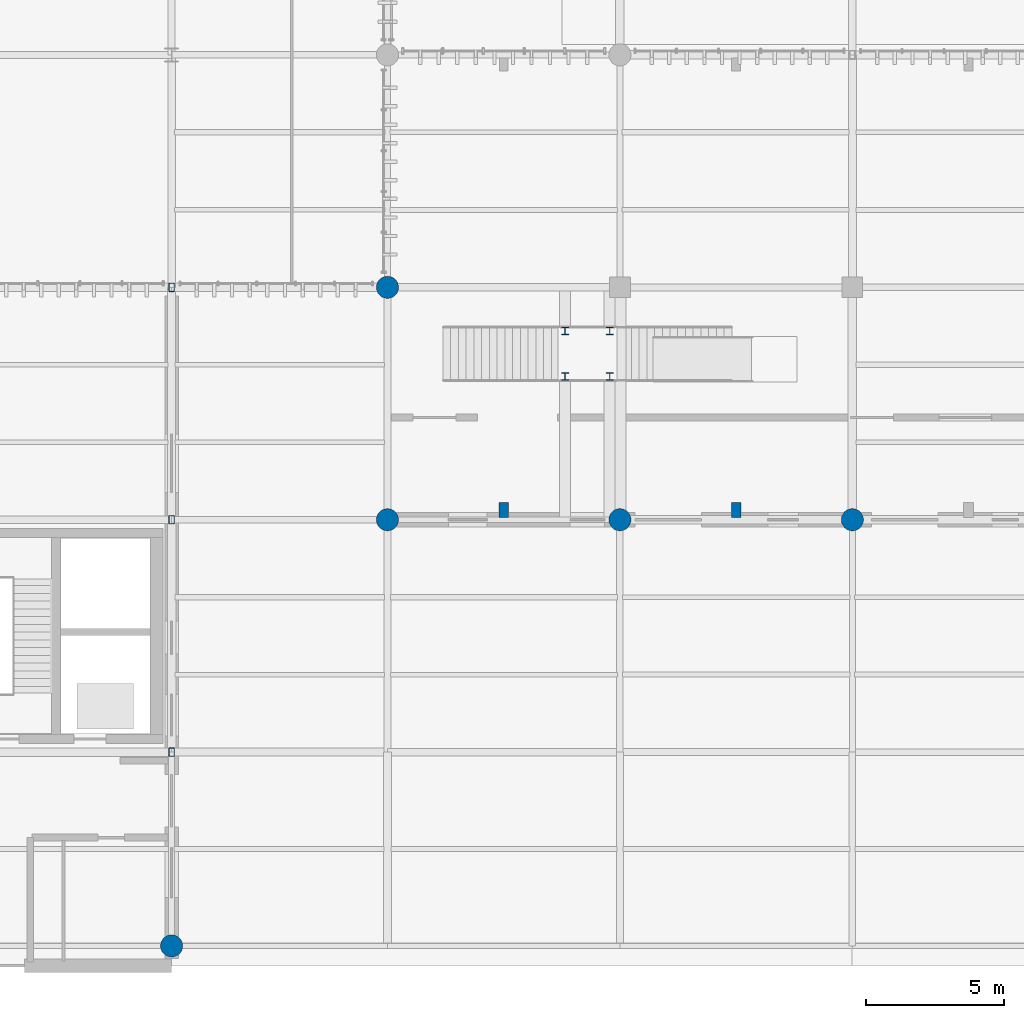
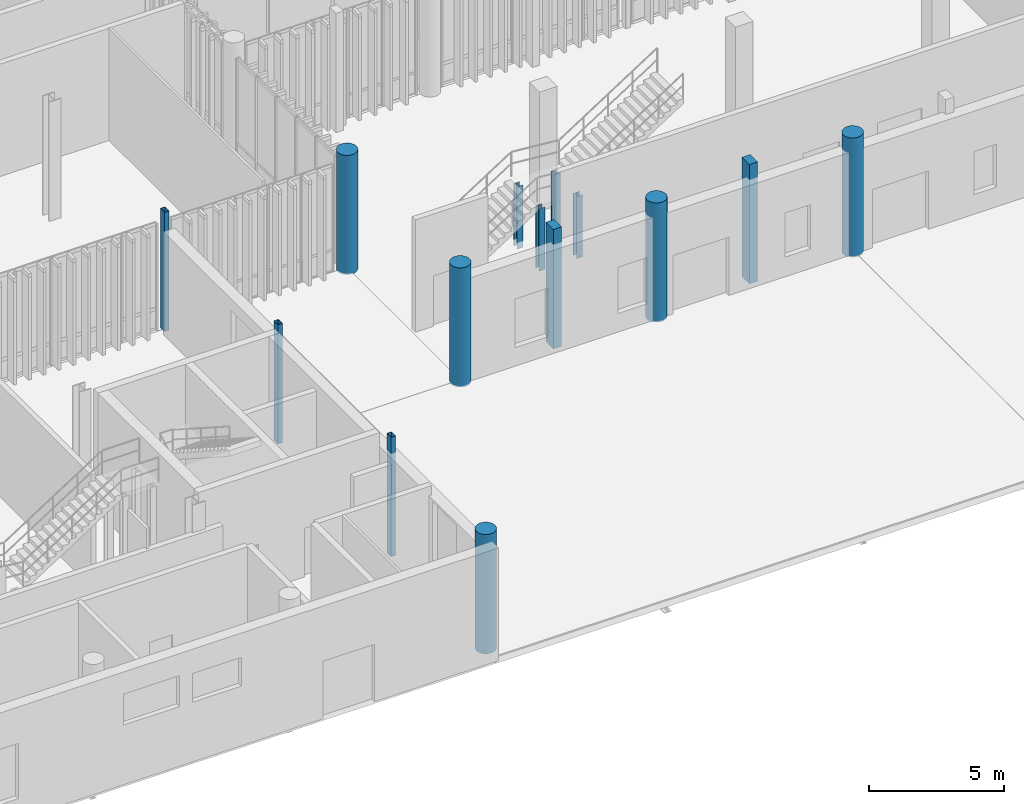
# One storey, part 2 of 112: 14 columns.
"""IFC4 building model written with IfcOpenShell, lengths in metres."""

from ifc_helpers import new_model, si_unit, direction, frame, origin_with_axes, origin_2d_with_axis, place, context, subcontext, project, spatial, rectangle, hollow_rectangle, circle, i_section, extrude, material, material_profile, profile_set, type_object, element, save


model = new_model("IFC4")

# Units and contexts
model_context = context("Model", 3, precision=1e-05, world=origin_with_axes(), true_north=direction((0.0, 1.0)))
body_context = subcontext(model_context, "Body", "Model", "MODEL_VIEW")
ifc_project = project(units=[si_unit("LENGTHUNIT", "METRE"), si_unit("AREAUNIT", "SQUARE_METRE"), si_unit("VOLUMEUNIT", "CUBIC_METRE"), si_unit("PLANEANGLEUNIT", "RADIAN"), si_unit("MASSUNIT", "GRAM", prefix="KILO"), si_unit("THERMODYNAMICTEMPERATUREUNIT", "KELVIN")], contexts=[model_context])

# Site, building, storey
site_placement = place(None, origin_with_axes())
site = spatial("IfcSite", under=ifc_project, at=site_placement, CompositionType="ELEMENT")
building_placement = place(site_placement, origin_with_axes())
building = spatial("IfcBuilding", under=site, at=building_placement, Name="Montbau Bow Law Courts", CompositionType="ELEMENT")
storey_placement = place(building_placement, origin_with_axes())
storey = spatial("IfcBuildingStorey", under=building, at=storey_placement, Name="L00", CompositionType="ELEMENT", Elevation=0.0)

# Columns
ifc_material_1 = material(Name="Steel CSA G40.21 Grade 350WT (350 MPa)", Category="steel")
ifc_material_profile_1 = material_profile(ifc_material_1, hollow_rectangle(XDim=0.203, YDim=0.305, WallThickness=0.0127, InnerFilletRadius=0.0254, OuterFilletRadius=0.0127, at=origin_2d_with_axis()), Name="HSS305X203X13", Category="Main", Priority=0)
ifc_profile_set_1 = profile_set([ifc_material_profile_1], Name="Steel CSA G40.21 Grade 350WT (350 MPa)")
column_type_1 = type_object("IfcColumnType", Name="C-HSS-03", PredefinedType="COLUMN", material=ifc_profile_set_1)
for number, where, z_axis, x_axis, name in (
    (1, (39.0, 13.8, 0.0), (0.0, 0.0, 1.0), (1.0, 0.0, 0.0), "C-L00-S0214:col2_0214"),
    (2, (39.0, 22.2, 0.0), (0.0, 0.0, 1.0), (1.0, 0.0, 0.0), "C-L00-S0215:col2_0215"),
    (3, (39.0, 30.6, 0.0), (0.0, 0.0, 1.0), (1.0, 0.0, 0.0), "C-L00-S0216:col2_0216"),
):
    element("IfcColumn", number, at=place(None, frame(where, z_axis=z_axis, x_axis=x_axis)), inside=storey, type_object=column_type_1, Name=name, PredefinedType="COLUMN", context=body_context, shape_type="SweptSolid", body=[
        extrude(hollow_rectangle(XDim=0.203, YDim=0.305, WallThickness=0.0127, InnerFilletRadius=0.0254, OuterFilletRadius=0.0127, at=origin_2d_with_axis()), origin_with_axes(), (0.0, 0.0, 1.0), 5.4),
    ])
ifc_material_2 = material(Name="Concrete CSA A23.1 f'c 40 MPa", Category="concrete")
ifc_material_profile_2 = material_profile(ifc_material_2, rectangle(XDim=0.35, YDim=0.55, at=origin_2d_with_axis()), Name="RC550X350", Category="Main", Priority=0)
ifc_profile_set_2 = profile_set([ifc_material_profile_2], Name="Concrete CSA A23.1 f'c 40 MPa")
column_type_2 = type_object("IfcColumnType", Name="C-PIL-01", PredefinedType="PILASTER", material=ifc_profile_set_2)
for number, where, z_axis, x_axis, name in (
    (4, (51.0, 22.55, 0.0), (0.0, 0.0, 1.0), (1.0, 0.0, 0.0), "PL-L00-S01:pil2_0002"),
    (5, (59.4, 22.55, 0.0), (0.0, 0.0, 1.0), (1.0, 0.0, 0.0), "PL-L00-S02:pil2_0005"),
):
    element("IfcColumn", number, at=place(None, frame(where, z_axis=z_axis, x_axis=x_axis)), inside=storey, type_object=column_type_2, Name=name, PredefinedType="PILASTER", context=body_context, shape_type="SweptSolid", body=[
        extrude(rectangle(XDim=0.35, YDim=0.55, at=origin_2d_with_axis()), origin_with_axes(), (0.0, 0.0, 1.0), 5.4),
    ])
ifc_material_profile_3 = material_profile(ifc_material_2, circle(Radius=0.4, at=origin_2d_with_axis()), Name="RC800D", Category="Main", Priority=0)
ifc_profile_set_3 = profile_set([ifc_material_profile_3], Name="Concrete CSA A23.1 f'c 40 MPa")
column_type_3 = type_object("IfcColumnType", Name="C-RC-07", PredefinedType="COLUMN", material=ifc_profile_set_3)
for number, where, z_axis, x_axis, name in (
    (6, (39.0, 6.8, 0.0), (0.0, 0.0, 1.0), (1.0, 0.0, 0.0), "C-L00-S0213:col2_0213"),
    (7, (46.8, 22.2, 0.0), (0.0, 0.0, 1.0), (1.0, 0.0, 0.0), "C-L00-S0220:col2_0220"),
    (8, (46.8, 30.6, 0.0), (0.0, 0.0, 1.0), (1.0, 0.0, 0.0), "C-L00-S0221:col2_0221"),
    (9, (55.2, 22.2, 0.0), (0.0, 0.0, 1.0), (1.0, 0.0, 0.0), "C-L00-S0226:col2_0226"),
    (10, (63.6, 22.2, 0.0), (0.0, 0.0, 1.0), (1.0, 0.0, 0.0), "C-L00-S0232:col2_0232"),
):
    element("IfcColumn", number, at=place(None, frame(where, z_axis=z_axis, x_axis=x_axis)), inside=storey, type_object=column_type_3, Name=name, PredefinedType="COLUMN", context=body_context, shape_type="SweptSolid", body=[
        extrude(circle(Radius=0.4, at=origin_2d_with_axis()), origin_with_axes(), (0.0, 0.0, 1.0), 5.4),
    ])
ifc_material_3 = material(Name="Steel CSA G40.21 Grade 350W (350 MPa)", Category="steel")
ifc_material_profile_4 = material_profile(ifc_material_3, i_section(OverallWidth=0.256, OverallDepth=0.26, WebThickness=0.0107, FlangeThickness=0.0173, at=origin_2d_with_axis()), Name="W250X89", Category="Main", Priority=0)
ifc_profile_set_4 = profile_set([ifc_material_profile_4], Name="Steel CSA G40.21 Grade 350W (350 MPa)")
column_type_4 = type_object("IfcColumnType", Name="C-STL-08", PredefinedType="COLUMN", material=ifc_profile_set_4)
for number, where, z_axis, x_axis, name in (
    (11, (53.22, 27.38, -0.29), (0.0, 0.0, 1.0), (1.0, 0.0, 0.0), "C-ST-L00-01:col2_1120"),
    (12, (53.22, 29.02, -0.29), (0.0, 0.0, 1.0), (1.0, 0.0, 0.0), "C-ST-L00-02:col2_1121"),
    (13, (54.83, 27.38, -0.29), (0.0, 0.0, 1.0), (1.0, 0.0, 0.0), "C-ST-L00-03:col2_1122"),
    (14, (54.83, 29.02, -0.29), (0.0, 0.0, 1.0), (1.0, 0.0, 0.0), "C-ST-L00-04:col2_1123"),
):
    element("IfcColumn", number, at=place(None, frame(where, z_axis=z_axis, x_axis=x_axis)), inside=storey, type_object=column_type_4, Name=name, PredefinedType="COLUMN", context=body_context, shape_type="SweptSolid", body=[
        extrude(i_section(OverallWidth=0.256, OverallDepth=0.26, WebThickness=0.0107, FlangeThickness=0.0173, at=origin_2d_with_axis()), origin_with_axes(), (0.0, 0.0, 1.0), 2.81),
    ])

save(model, "model.ifc")
